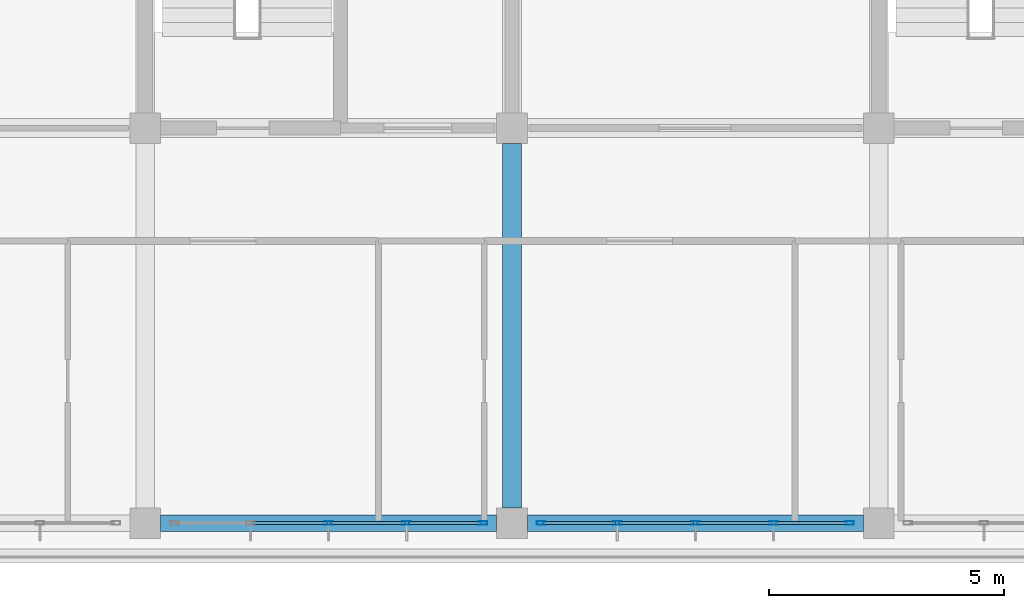
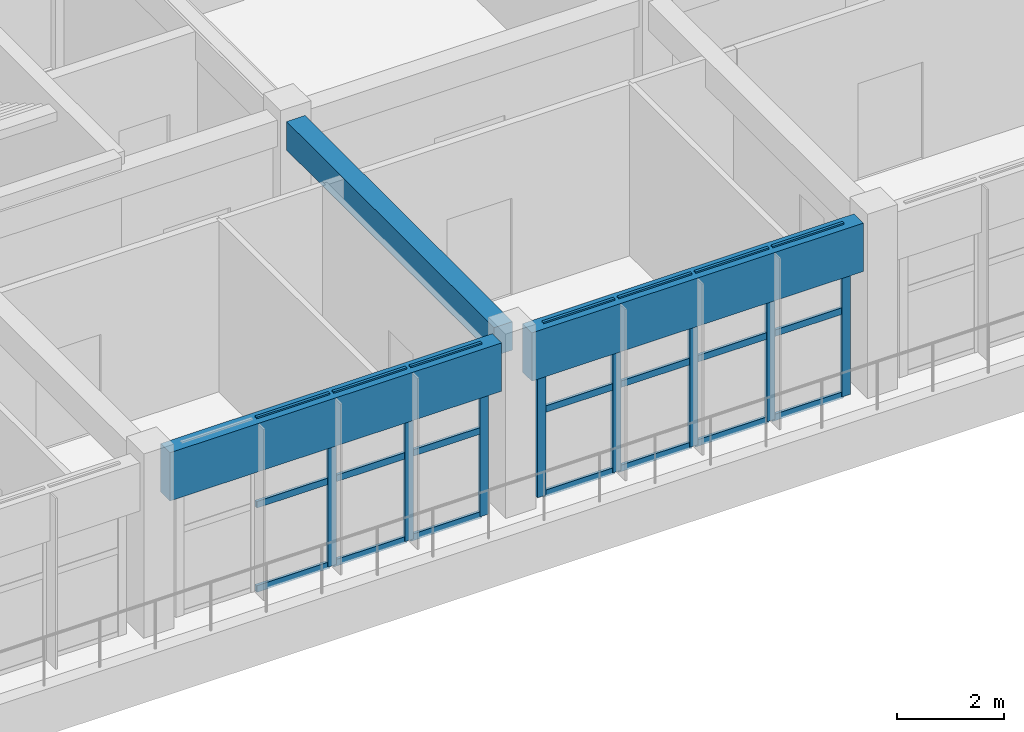
# One storey, part 20 of 57: 29 members, 3 beams, 2 elements without a shape of their own.
"""IFC4 building model written with IfcOpenShell, lengths in metres."""

from ifc_helpers import new_model, si_unit, direction, frame, origin, origin_2d, place, context, subcontext, project, spatial, rectangle, hollow_rectangle, extrude, material, layer, layer_set, material_profile, profile_set, type_object, element, aggregate, save


model = new_model("IFC4")

# Units and contexts
model_context = context("Model", 3, precision=1e-05, world=origin(), true_north=direction((0.0, 1.0)))
body_context = subcontext(model_context, "Body", "Model", "MODEL_VIEW")
ifc_project = project(units=[si_unit("LENGTHUNIT", "METRE"), si_unit("AREAUNIT", "SQUARE_METRE"), si_unit("VOLUMEUNIT", "CUBIC_METRE"), si_unit("PLANEANGLEUNIT", "RADIAN"), si_unit("MASSUNIT", "GRAM", prefix="KILO")], contexts=[model_context])

# Site, building, storey
site_placement = place(None, origin())
site = spatial("IfcSite", under=ifc_project, at=site_placement, CompositionType="ELEMENT")
building_placement = place(site_placement, origin())
building = spatial("IfcBuilding", under=site, at=building_placement, Name="Zizhar Promenade General Hospital", CompositionType="ELEMENT")
storey_placement = place(building_placement, frame((0.0, 0.0, 22.199951171875)))
storey = spatial("IfcBuildingStorey", under=building, at=storey_placement, Name="L05", CompositionType="ELEMENT", Elevation=22.199951171875)

# Beams
ifc_material_1 = material(Name="Precast concrete C40/50", Category="concrete")
ifc_material_profile_1 = material_profile(ifc_material_1, rectangle(XDim=0.35009765625, YDim=1.10009765625, at=origin_2d()))
ifc_profile_set_1 = profile_set([ifc_material_profile_1], Name="Precast concrete C40/50")
beam_type_1 = type_object("IfcBeamType", Name="BM-PC-BAND1100", PredefinedType="SPANDREL", material=ifc_profile_set_1)
beam_1_placement = place(storey_placement, frame((78.324951171875, 0.0, 3.360107421875), z_axis=(1.0, 0.0, 0.0), x_axis=(0.0, 1.0, 0.0)))
element("IfcBeam", 1, at=beam_1_placement, inside=storey, type_object=beam_type_1, Name="Grid Beam X L05 (10-0)", PredefinedType="SPANDREL", context=body_context, shape_type="SweptSolid", body=[
    extrude(rectangle(XDim=0.35009765625, YDim=1.10009765625, at=origin_2d()), origin(), (0.0, 0.0, 1.0), 7.150146484375),
])
beam_2_placement = place(storey_placement, frame((86.125, 0.0, 3.360107421875), z_axis=(1.0, 0.0, 0.0), x_axis=(0.0, 1.0, 0.0)))
element("IfcBeam", 2, at=beam_2_placement, inside=storey, type_object=beam_type_1, Name="Grid Beam X L05 (11-0)", PredefinedType="SPANDREL", context=body_context, shape_type="SweptSolid", body=[
    extrude(rectangle(XDim=0.35009765625, YDim=1.10009765625, at=origin_2d()), origin(), (0.0, 0.0, 1.0), 7.14990234375),
])
ifc_material_2 = material(Name="Concrete C35/45", Category="concrete")
ifc_material_profile_2 = material_profile(ifc_material_2, rectangle(XDim=0.39990234375, YDim=0.64990234375, at=origin_2d()))
ifc_profile_set_2 = profile_set([ifc_material_profile_2], Name="Concrete C35/45")
beam_type_2 = type_object("IfcBeamType", Name="BM-RC-400x650", PredefinedType="BEAM", material=ifc_profile_set_2)
beam_3_placement = place(storey_placement, frame((85.800048828125, 0.324951171875, 3.5849609375), z_axis=(0.0, 1.0, 0.0), x_axis=(-1.0, 0.0, 0.0)))
element("IfcBeam", 3, at=beam_3_placement, inside=storey, type_object=beam_type_2, Name="Grid Beam Y L05 (11-0)", PredefinedType="BEAM", context=body_context, shape_type="SweptSolid", body=[
    extrude(rectangle(XDim=0.39990234375, YDim=0.64990234375, at=origin_2d()), origin(), (0.0, 0.0, 1.0), 7.75),
])

# Curtain wall, members
ifc_material_3 = material(Name="Anodised aluminium 6063-T6 and low-E glass", Category="aluminium")
ifc_layer = layer(ifc_material_3, 0.159912109375)
ifc_layer_set = layer_set([ifc_layer], Name="Anodised aluminium 6063-T6 and low-E glass")
curtain_wall_type = type_object("IfcCurtainWallType", Name="CW-WARD-RIB", PredefinedType="NOTDEFINED", material=ifc_layer_set)
curtain_wall_1_placement = place(storey_placement, origin())
curtain_wall_1 = element("IfcCurtainWall", 4, at=curtain_wall_1_placement, inside=storey, type_object=curtain_wall_type, Name="Ward Ribbon Curtain Wall L05-17-3", PredefinedType="NOTDEFINED")
ifc_material_4 = material(Name="Anodised aluminium 6063-T6", Category="aluminium")
ifc_material_profile_3 = material_profile(ifc_material_4, hollow_rectangle(XDim=0.080078125, YDim=0.179931640625, WallThickness=0.0048828125, at=origin_2d()))
ifc_profile_set_3 = profile_set([ifc_material_profile_3], Name="Anodised aluminium 6063-T6")
member_type_1 = type_object("IfcMemberType", Name="CWM-ALU-180x80", PredefinedType="MULLION", material=ifc_profile_set_3)
member_1_placement = place(storey_placement, frame((92.97998046875, 0.0, 0.0), z_axis=(0.0, 0.0, 1.0), x_axis=(0.0, -1.0, 0.0)))
member_1 = element("IfcMember", 5, at=member_1_placement, type_object=member_type_1, Name="CW-13 mullion 1", PredefinedType="MULLION", context=body_context, shape_type="SweptSolid", body=[
    extrude(hollow_rectangle(XDim=0.080078125, YDim=0.179931640625, WallThickness=0.0048828125, at=origin_2d()), origin(), (0.0, 0.0, 1.0), 3.900146484375),
])
member_2_placement = place(storey_placement, frame((91.360107421875, 0.0, 0.0), z_axis=(0.0, 0.0, 1.0), x_axis=(0.0, -1.0, 0.0)))
member_2 = element("IfcMember", 6, at=member_2_placement, type_object=member_type_1, Name="CW-13 mullion 2", PredefinedType="MULLION", context=body_context, shape_type="SweptSolid", body=[
    extrude(hollow_rectangle(XDim=0.080078125, YDim=0.179931640625, WallThickness=0.0048828125, at=origin_2d()), origin(), (0.0, 0.0, 1.0), 3.900146484375),
])
member_3_placement = place(storey_placement, frame((89.699951171875, 0.0, 0.0), z_axis=(0.0, 0.0, 1.0), x_axis=(0.0, -1.0, 0.0)))
member_3 = element("IfcMember", 7, at=member_3_placement, type_object=member_type_1, Name="CW-13 mullion 3", PredefinedType="MULLION", context=body_context, shape_type="SweptSolid", body=[
    extrude(hollow_rectangle(XDim=0.080078125, YDim=0.179931640625, WallThickness=0.0048828125, at=origin_2d()), origin(), (0.0, 0.0, 1.0), 3.900146484375),
])
member_4_placement = place(storey_placement, frame((88.0400390625, 0.0, 0.0), z_axis=(0.0, 0.0, 1.0), x_axis=(0.0, -1.0, 0.0)))
member_4 = element("IfcMember", 8, at=member_4_placement, type_object=member_type_1, Name="CW-13 mullion 4", PredefinedType="MULLION", context=body_context, shape_type="SweptSolid", body=[
    extrude(hollow_rectangle(XDim=0.080078125, YDim=0.179931640625, WallThickness=0.0048828125, at=origin_2d()), origin(), (0.0, 0.0, 1.0), 3.900146484375),
])
member_5_placement = place(storey_placement, frame((86.419921875, 0.0, 0.0), z_axis=(0.0, 0.0, 1.0), x_axis=(0.0, -1.0, 0.0)))
member_5 = element("IfcMember", 9, at=member_5_placement, type_object=member_type_1, Name="CW-13 mullion 5", PredefinedType="MULLION", context=body_context, shape_type="SweptSolid", body=[
    extrude(hollow_rectangle(XDim=0.080078125, YDim=0.179931640625, WallThickness=0.0048828125, at=origin_2d()), origin(), (0.0, 0.0, 1.0), 3.900146484375),
])

curtain_wall_2_placement = place(storey_placement, origin())
curtain_wall_2 = element("IfcCurtainWall", 10, at=curtain_wall_2_placement, inside=storey, type_object=curtain_wall_type, Name="Ward Ribbon Curtain Wall L05-17-4", PredefinedType="NOTDEFINED")
member_6_placement = place(storey_placement, frame((85.179931640625, 0.0, 0.0), z_axis=(0.0, 0.0, 1.0), x_axis=(0.0, -1.0, 0.0)))
member_6 = element("IfcMember", 11, at=member_6_placement, type_object=member_type_1, Name="CW-13 mullion 1", PredefinedType="MULLION", context=body_context, shape_type="SweptSolid", body=[
    extrude(hollow_rectangle(XDim=0.080078125, YDim=0.179931640625, WallThickness=0.0048828125, at=origin_2d()), origin(), (0.0, 0.0, 1.0), 3.900146484375),
])
member_7_placement = place(storey_placement, frame((83.56005859375, 0.0, 0.0), z_axis=(0.0, 0.0, 1.0), x_axis=(0.0, -1.0, 0.0)))
member_7 = element("IfcMember", 12, at=member_7_placement, type_object=member_type_1, Name="CW-13 mullion 2", PredefinedType="MULLION", context=body_context, shape_type="SweptSolid", body=[
    extrude(hollow_rectangle(XDim=0.080078125, YDim=0.179931640625, WallThickness=0.0048828125, at=origin_2d()), origin(), (0.0, 0.0, 1.0), 3.900146484375),
])
member_8_placement = place(storey_placement, frame((81.89990234375, 0.0, 0.0), z_axis=(0.0, 0.0, 1.0), x_axis=(0.0, -1.0, 0.0)))
member_8 = element("IfcMember", 13, at=member_8_placement, type_object=member_type_1, Name="CW-13 mullion 3", PredefinedType="MULLION", context=body_context, shape_type="SweptSolid", body=[
    extrude(hollow_rectangle(XDim=0.080078125, YDim=0.179931640625, WallThickness=0.0048828125, at=origin_2d()), origin(), (0.0, 0.0, 1.0), 3.900146484375),
])

# Member
ifc_material_5 = material(Name="Anodised aluminium 6063-T6", Category="aluminium")
ifc_material_profile_4 = material_profile(ifc_material_5, hollow_rectangle(XDim=0.06005859375, YDim=0.14990234375, WallThickness=0.00390625, at=origin_2d()))
ifc_profile_set_4 = profile_set([ifc_material_profile_4], Name="Anodised aluminium 6063-T6")
member_type_2 = type_object("IfcMemberType", Name="CWT-ALU-150x60", PredefinedType="USERDEFINED", material=ifc_profile_set_4)
member_9_placement = place(storey_placement, frame((92.93994140625, 0.0, 0.030029296875), z_axis=(-1.0, 0.0, 0.0), x_axis=(0.0, -1.0, 0.0)))
member_9 = element("IfcMember", 14, at=member_9_placement, type_object=member_type_2, Name="CW-13 transom 1.1", ObjectType="TRANSOM", PredefinedType="USERDEFINED", context=body_context, shape_type="SweptSolid", body=[
    extrude(hollow_rectangle(XDim=0.06005859375, YDim=0.14990234375, WallThickness=0.00390625, at=origin_2d()), origin(), (0.0, 0.0, 1.0), 1.5400390625),
])

member_10_placement = place(storey_placement, frame((92.93994140625, 0.0, 1.949951171875), z_axis=(-1.0, 0.0, 0.0), x_axis=(0.0, -1.0, 0.0)))
member_10 = element("IfcMember", 15, at=member_10_placement, type_object=member_type_2, Name="CW-13 transom 1.2", ObjectType="TRANSOM", PredefinedType="USERDEFINED", context=body_context, shape_type="SweptSolid", body=[
    extrude(hollow_rectangle(XDim=0.06005859375, YDim=0.14990234375, WallThickness=0.00390625, at=origin_2d()), origin(), (0.0, 0.0, 1.0), 1.5400390625),
])

member_11_placement = place(storey_placement, frame((92.93994140625, 0.0, 3.8701171875), z_axis=(-1.0, 0.0, 0.0), x_axis=(0.0, -1.0, 0.0)))
member_11 = element("IfcMember", 16, at=member_11_placement, type_object=member_type_2, Name="CW-13 transom 1.3", ObjectType="TRANSOM", PredefinedType="USERDEFINED", context=body_context, shape_type="SweptSolid", body=[
    extrude(hollow_rectangle(XDim=0.06005859375, YDim=0.14990234375, WallThickness=0.00390625, at=origin_2d()), origin(), (0.0, 0.0, 1.0), 1.5400390625),
])

member_12_placement = place(storey_placement, frame((91.320068359375, 0.0, 0.030029296875), z_axis=(-1.0, 0.0, 0.0), x_axis=(0.0, -1.0, 0.0)))
member_12 = element("IfcMember", 17, at=member_12_placement, type_object=member_type_2, Name="CW-13 transom 2.1", ObjectType="TRANSOM", PredefinedType="USERDEFINED", context=body_context, shape_type="SweptSolid", body=[
    extrude(hollow_rectangle(XDim=0.06005859375, YDim=0.14990234375, WallThickness=0.00390625, at=origin_2d()), origin(), (0.0, 0.0, 1.0), 1.580078125),
])

member_13_placement = place(storey_placement, frame((91.320068359375, 0.0, 1.949951171875), z_axis=(-1.0, 0.0, 0.0), x_axis=(0.0, -1.0, 0.0)))
member_13 = element("IfcMember", 18, at=member_13_placement, type_object=member_type_2, Name="CW-13 transom 2.2", ObjectType="TRANSOM", PredefinedType="USERDEFINED", context=body_context, shape_type="SweptSolid", body=[
    extrude(hollow_rectangle(XDim=0.06005859375, YDim=0.14990234375, WallThickness=0.00390625, at=origin_2d()), origin(), (0.0, 0.0, 1.0), 1.580078125),
])

member_14_placement = place(storey_placement, frame((91.320068359375, 0.0, 3.8701171875), z_axis=(-1.0, 0.0, 0.0), x_axis=(0.0, -1.0, 0.0)))
member_14 = element("IfcMember", 19, at=member_14_placement, type_object=member_type_2, Name="CW-13 transom 2.3", ObjectType="TRANSOM", PredefinedType="USERDEFINED", context=body_context, shape_type="SweptSolid", body=[
    extrude(hollow_rectangle(XDim=0.06005859375, YDim=0.14990234375, WallThickness=0.00390625, at=origin_2d()), origin(), (0.0, 0.0, 1.0), 1.580078125),
])

member_15_placement = place(storey_placement, frame((89.659912109375, 0.0, 0.030029296875), z_axis=(-1.0, 0.0, 0.0), x_axis=(0.0, -1.0, 0.0)))
member_15 = element("IfcMember", 20, at=member_15_placement, type_object=member_type_2, Name="CW-13 transom 3.1", ObjectType="TRANSOM", PredefinedType="USERDEFINED", context=body_context, shape_type="SweptSolid", body=[
    extrude(hollow_rectangle(XDim=0.06005859375, YDim=0.14990234375, WallThickness=0.00390625, at=origin_2d()), origin(), (0.0, 0.0, 1.0), 1.579833984375),
])

member_16_placement = place(storey_placement, frame((89.659912109375, 0.0, 1.949951171875), z_axis=(-1.0, 0.0, 0.0), x_axis=(0.0, -1.0, 0.0)))
member_16 = element("IfcMember", 21, at=member_16_placement, type_object=member_type_2, Name="CW-13 transom 3.2", ObjectType="TRANSOM", PredefinedType="USERDEFINED", context=body_context, shape_type="SweptSolid", body=[
    extrude(hollow_rectangle(XDim=0.06005859375, YDim=0.14990234375, WallThickness=0.00390625, at=origin_2d()), origin(), (0.0, 0.0, 1.0), 1.579833984375),
])

member_17_placement = place(storey_placement, frame((89.659912109375, 0.0, 3.8701171875), z_axis=(-1.0, 0.0, 0.0), x_axis=(0.0, -1.0, 0.0)))
member_17 = element("IfcMember", 22, at=member_17_placement, type_object=member_type_2, Name="CW-13 transom 3.3", ObjectType="TRANSOM", PredefinedType="USERDEFINED", context=body_context, shape_type="SweptSolid", body=[
    extrude(hollow_rectangle(XDim=0.06005859375, YDim=0.14990234375, WallThickness=0.00390625, at=origin_2d()), origin(), (0.0, 0.0, 1.0), 1.579833984375),
])

member_18_placement = place(storey_placement, frame((88.0, 0.0, 0.030029296875), z_axis=(-1.0, 0.0, 0.0), x_axis=(0.0, -1.0, 0.0)))
member_18 = element("IfcMember", 23, at=member_18_placement, type_object=member_type_2, Name="CW-13 transom 4.1", ObjectType="TRANSOM", PredefinedType="USERDEFINED", context=body_context, shape_type="SweptSolid", body=[
    extrude(hollow_rectangle(XDim=0.06005859375, YDim=0.14990234375, WallThickness=0.00390625, at=origin_2d()), origin(), (0.0, 0.0, 1.0), 1.5400390625),
])

member_19_placement = place(storey_placement, frame((88.0, 0.0, 1.949951171875), z_axis=(-1.0, 0.0, 0.0), x_axis=(0.0, -1.0, 0.0)))
member_19 = element("IfcMember", 24, at=member_19_placement, type_object=member_type_2, Name="CW-13 transom 4.2", ObjectType="TRANSOM", PredefinedType="USERDEFINED", context=body_context, shape_type="SweptSolid", body=[
    extrude(hollow_rectangle(XDim=0.06005859375, YDim=0.14990234375, WallThickness=0.00390625, at=origin_2d()), origin(), (0.0, 0.0, 1.0), 1.5400390625),
])

member_20_placement = place(storey_placement, frame((88.0, 0.0, 3.8701171875), z_axis=(-1.0, 0.0, 0.0), x_axis=(0.0, -1.0, 0.0)))
member_20 = element("IfcMember", 25, at=member_20_placement, type_object=member_type_2, Name="CW-13 transom 4.3", ObjectType="TRANSOM", PredefinedType="USERDEFINED", context=body_context, shape_type="SweptSolid", body=[
    extrude(hollow_rectangle(XDim=0.06005859375, YDim=0.14990234375, WallThickness=0.00390625, at=origin_2d()), origin(), (0.0, 0.0, 1.0), 1.5400390625),
])

aggregate(curtain_wall_1, [member_1, member_2, member_3, member_4, member_5, member_9, member_10, member_11, member_12, member_13, member_14, member_15, member_16, member_17, member_18, member_19, member_20])

member_21_placement = place(storey_placement, frame((85.139892578125, 0.0, 0.030029296875), z_axis=(-1.0, 0.0, 0.0), x_axis=(0.0, -1.0, 0.0)))
member_21 = element("IfcMember", 26, at=member_21_placement, type_object=member_type_2, Name="CW-13 transom 1.1", ObjectType="TRANSOM", PredefinedType="USERDEFINED", context=body_context, shape_type="SweptSolid", body=[
    extrude(hollow_rectangle(XDim=0.06005859375, YDim=0.14990234375, WallThickness=0.00390625, at=origin_2d()), origin(), (0.0, 0.0, 1.0), 1.539794921875),
])

member_22_placement = place(storey_placement, frame((85.139892578125, 0.0, 1.949951171875), z_axis=(-1.0, 0.0, 0.0), x_axis=(0.0, -1.0, 0.0)))
member_22 = element("IfcMember", 27, at=member_22_placement, type_object=member_type_2, Name="CW-13 transom 1.2", ObjectType="TRANSOM", PredefinedType="USERDEFINED", context=body_context, shape_type="SweptSolid", body=[
    extrude(hollow_rectangle(XDim=0.06005859375, YDim=0.14990234375, WallThickness=0.00390625, at=origin_2d()), origin(), (0.0, 0.0, 1.0), 1.539794921875),
])

member_23_placement = place(storey_placement, frame((85.139892578125, 0.0, 3.8701171875), z_axis=(-1.0, 0.0, 0.0), x_axis=(0.0, -1.0, 0.0)))
member_23 = element("IfcMember", 28, at=member_23_placement, type_object=member_type_2, Name="CW-13 transom 1.3", ObjectType="TRANSOM", PredefinedType="USERDEFINED", context=body_context, shape_type="SweptSolid", body=[
    extrude(hollow_rectangle(XDim=0.06005859375, YDim=0.14990234375, WallThickness=0.00390625, at=origin_2d()), origin(), (0.0, 0.0, 1.0), 1.539794921875),
])

member_24_placement = place(storey_placement, frame((83.52001953125, 0.0, 0.030029296875), z_axis=(-1.0, 0.0, 0.0), x_axis=(0.0, -1.0, 0.0)))
member_24 = element("IfcMember", 29, at=member_24_placement, type_object=member_type_2, Name="CW-13 transom 2.1", ObjectType="TRANSOM", PredefinedType="USERDEFINED", context=body_context, shape_type="SweptSolid", body=[
    extrude(hollow_rectangle(XDim=0.06005859375, YDim=0.14990234375, WallThickness=0.00390625, at=origin_2d()), origin(), (0.0, 0.0, 1.0), 1.580078125),
])

member_25_placement = place(storey_placement, frame((83.52001953125, 0.0, 1.949951171875), z_axis=(-1.0, 0.0, 0.0), x_axis=(0.0, -1.0, 0.0)))
member_25 = element("IfcMember", 30, at=member_25_placement, type_object=member_type_2, Name="CW-13 transom 2.2", ObjectType="TRANSOM", PredefinedType="USERDEFINED", context=body_context, shape_type="SweptSolid", body=[
    extrude(hollow_rectangle(XDim=0.06005859375, YDim=0.14990234375, WallThickness=0.00390625, at=origin_2d()), origin(), (0.0, 0.0, 1.0), 1.580078125),
])

member_26_placement = place(storey_placement, frame((83.52001953125, 0.0, 3.8701171875), z_axis=(-1.0, 0.0, 0.0), x_axis=(0.0, -1.0, 0.0)))
member_26 = element("IfcMember", 31, at=member_26_placement, type_object=member_type_2, Name="CW-13 transom 2.3", ObjectType="TRANSOM", PredefinedType="USERDEFINED", context=body_context, shape_type="SweptSolid", body=[
    extrude(hollow_rectangle(XDim=0.06005859375, YDim=0.14990234375, WallThickness=0.00390625, at=origin_2d()), origin(), (0.0, 0.0, 1.0), 1.580078125),
])

member_27_placement = place(storey_placement, frame((81.860107421875, 0.0, 0.030029296875), z_axis=(-1.0, 0.0, 0.0), x_axis=(0.0, -1.0, 0.0)))
member_27 = element("IfcMember", 32, at=member_27_placement, type_object=member_type_2, Name="CW-13 transom 3.1", ObjectType="TRANSOM", PredefinedType="USERDEFINED", context=body_context, shape_type="SweptSolid", body=[
    extrude(hollow_rectangle(XDim=0.06005859375, YDim=0.14990234375, WallThickness=0.00390625, at=origin_2d()), origin(), (0.0, 0.0, 1.0), 1.580078125),
])

member_28_placement = place(storey_placement, frame((81.860107421875, 0.0, 1.949951171875), z_axis=(-1.0, 0.0, 0.0), x_axis=(0.0, -1.0, 0.0)))
member_28 = element("IfcMember", 33, at=member_28_placement, type_object=member_type_2, Name="CW-13 transom 3.2", ObjectType="TRANSOM", PredefinedType="USERDEFINED", context=body_context, shape_type="SweptSolid", body=[
    extrude(hollow_rectangle(XDim=0.06005859375, YDim=0.14990234375, WallThickness=0.00390625, at=origin_2d()), origin(), (0.0, 0.0, 1.0), 1.580078125),
])

member_29_placement = place(storey_placement, frame((81.860107421875, 0.0, 3.8701171875), z_axis=(-1.0, 0.0, 0.0), x_axis=(0.0, -1.0, 0.0)))
member_29 = element("IfcMember", 34, at=member_29_placement, type_object=member_type_2, Name="CW-13 transom 3.3", ObjectType="TRANSOM", PredefinedType="USERDEFINED", context=body_context, shape_type="SweptSolid", body=[
    extrude(hollow_rectangle(XDim=0.06005859375, YDim=0.14990234375, WallThickness=0.00390625, at=origin_2d()), origin(), (0.0, 0.0, 1.0), 1.580078125),
])

aggregate(curtain_wall_2, [member_6, member_7, member_8, member_21, member_22, member_23, member_24, member_25, member_26, member_27, member_28, member_29])

save(model, "model.ifc")
